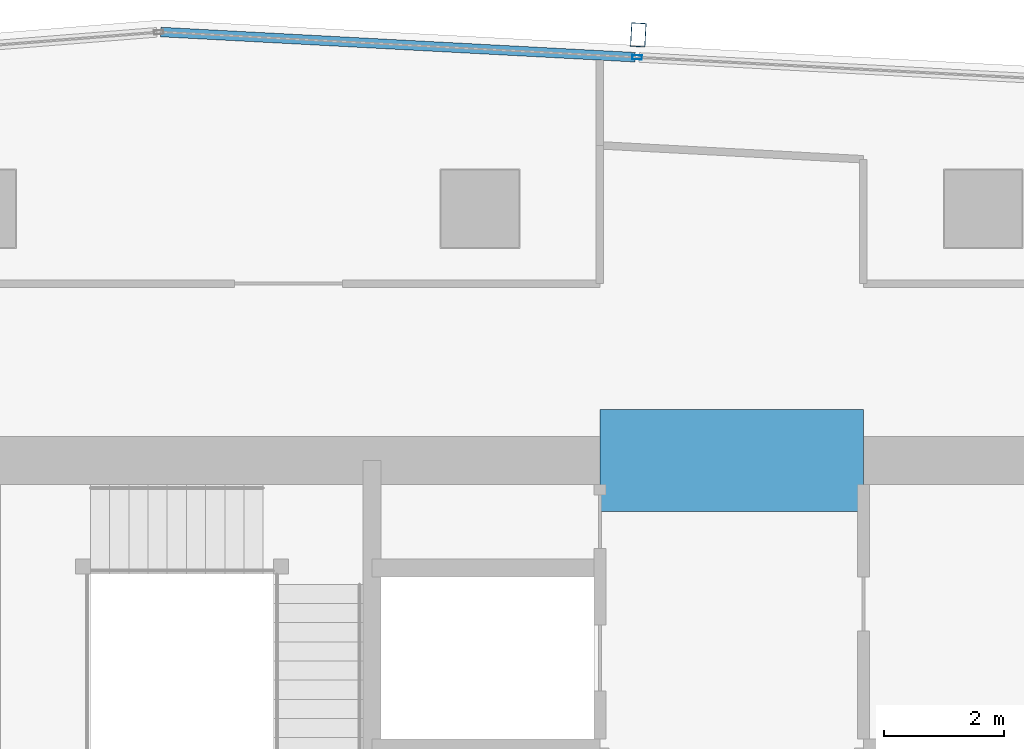
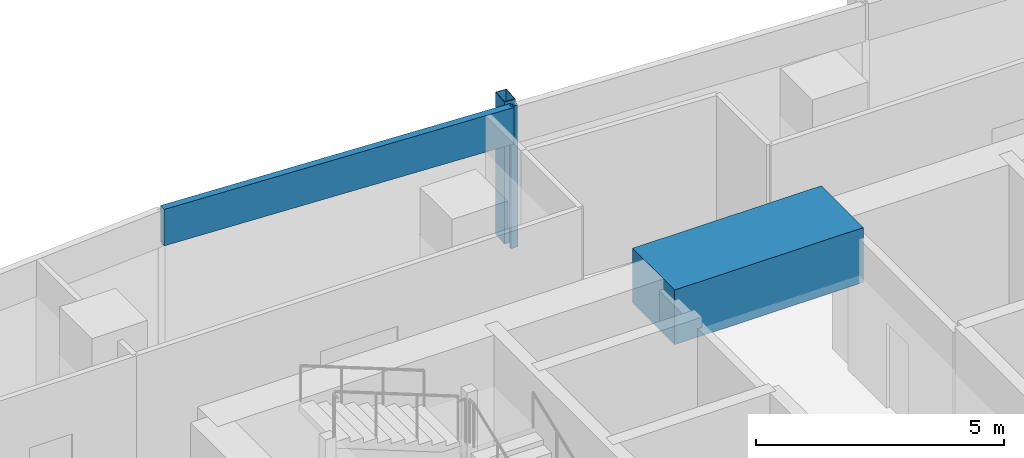
# One storey, part 17 of 29: 3 members, 1 beam, 1 element without a shape of its own.
"""IFC4 building model written with IfcOpenShell, lengths in metres."""

from ifc_helpers import new_model, si_unit, direction, frame, origin, origin_2d, place, context, subcontext, project, spatial, rectangle, hollow_rectangle, extrude, material, material_profile, profile_set, type_object, element, aggregate, save


model = new_model("IFC4")

# Units and contexts
model_context = context("Model", 3, precision=1e-05, world=origin(), true_north=direction((0.0, 1.0)))
body_context = subcontext(model_context, "Body", "Model", "MODEL_VIEW")
ifc_project = project(units=[si_unit("LENGTHUNIT", "METRE"), si_unit("AREAUNIT", "SQUARE_METRE"), si_unit("VOLUMEUNIT", "CUBIC_METRE"), si_unit("PLANEANGLEUNIT", "RADIAN"), si_unit("MASSUNIT", "GRAM", prefix="KILO")], contexts=[model_context])

# Site, building, storey
site_placement = place(None, origin())
site = spatial("IfcSite", under=ifc_project, at=site_placement, CompositionType="ELEMENT")
building_placement = place(site_placement, origin())
building = spatial("IfcBuilding", under=site, at=building_placement, Name="Rekha Terrace Tower", CompositionType="ELEMENT")
storey_placement = place(building_placement, frame((0.0, 0.0, 276.35009765625)))
storey = spatial("IfcBuildingStorey", under=building, at=storey_placement, Name="L70", CompositionType="ELEMENT", Elevation=276.35009765625)

# Curtain wall, members
ifc_material_1 = material(Name="Aluminium framing", Category="aluminium")
curtain_wall_type = type_object("IfcCurtainWallType", Name="CW3 north unitised glazing", PredefinedType="USERDEFINED", material=ifc_material_1)
curtain_wall_placement = place(storey_placement, origin())
curtain_wall = element("IfcCurtainWall", 1, at=curtain_wall_placement, inside=storey, type_object=curtain_wall_type, Name="CW3 unitised curtain wall", ObjectType="UNITISED CURTAIN WALL", PredefinedType="USERDEFINED")
ifc_material_2 = material(Name="Steel S355 with fluorocarbon finish", Category="steel")
ifc_material_profile_1 = material_profile(ifc_material_2, hollow_rectangle(XDim=0.25, YDim=0.39990234375, WallThickness=0.012451171875, at=origin_2d()), Name="RHS400x250x12.5")
ifc_profile_set_1 = profile_set([ifc_material_profile_1], Name="Steel S355 with fluorocarbon finish")
member_type_1 = type_object("IfcMemberType", Name="BL1 facade blade RHS 400 x 250", PredefinedType="USERDEFINED", material=ifc_profile_set_1)
member_1_placement = place(storey_placement, frame((36.24267578125, 53.301513671875, 0.0), z_axis=(0.0, 0.0, 1.0), x_axis=(-0.998590068481, 0.053083661621, 0.0)))
member_1 = element("IfcMember", 2, at=member_1_placement, type_object=member_type_1, Name="Facade blade", ObjectType="FACADE BLADE", PredefinedType="USERDEFINED", context=body_context, shape_type="SweptSolid", body=[
    extrude(hollow_rectangle(XDim=0.25, YDim=0.39990234375, WallThickness=0.012451171875, at=origin_2d()), origin(), (0.0, 0.0, 1.0), 3.5),
])
ifc_material_3 = material(Name="Aluminium mullion section", Category="aluminium")
ifc_material_profile_2 = material_profile(ifc_material_3, hollow_rectangle(XDim=0.070068359375, YDim=0.159912109375, WallThickness=0.00390625, at=origin_2d()), Name="AL RHS 70x160")
ifc_profile_set_2 = profile_set([ifc_material_profile_2], Name="Aluminium mullion section")
member_type_2 = type_object("IfcMemberType", Name="CW3 mullion RHS 70 x 160", PredefinedType="MULLION", material=ifc_profile_set_2)
member_2_placement = place(storey_placement, frame((36.22265625, 52.927001953125, 0.0), z_axis=(0.0, 0.0, 1.0), x_axis=(-0.053083275524, -0.998590089005, 0.0)))
member_2 = element("IfcMember", 3, at=member_2_placement, type_object=member_type_2, Name="CW3 mullion 4", PredefinedType="MULLION", context=body_context, shape_type="SweptSolid", body=[
    extrude(hollow_rectangle(XDim=0.070068359375, YDim=0.159912109375, WallThickness=0.00390625, at=origin_2d()), origin(), (0.0, 0.0, 1.0), 3.5),
])
ifc_material_4 = material(Name="Insulated aluminium spandrel box", Category="aluminium")
ifc_material_profile_3 = material_profile(ifc_material_4, hollow_rectangle(XDim=0.159912109375, YDim=0.89990234375, WallThickness=0.0029296875, at=origin_2d()), Name="AL SPANDREL BOX 160x900")
ifc_profile_set_3 = profile_set([ifc_material_profile_3], Name="Insulated aluminium spandrel box")
member_type_3 = type_object("IfcMemberType", Name="CW3 spandrel transom 160 x 900", PredefinedType="USERDEFINED", material=ifc_profile_set_3)
member_3_placement = place(storey_placement, frame((36.187744140625, 52.9287109375, 3.0498046875), z_axis=(-0.998589092231, 0.053102023288, 0.0), x_axis=(-0.053102023288, -0.998589092231, 0.0)))
member_3 = element("IfcMember", 4, at=member_3_placement, type_object=member_type_3, Name="CW3 spandrel transom 4", ObjectType="TRANSOM", PredefinedType="USERDEFINED", context=body_context, shape_type="SweptSolid", body=[
    extrude(hollow_rectangle(XDim=0.159912109375, YDim=0.89990234375, WallThickness=0.0029296875, at=origin_2d()), origin(), (0.0, 0.0, 1.0), 7.92626953125),
])
aggregate(curtain_wall, [member_2, member_3, member_1])

# Beam
ifc_material_5 = material(Name="Concrete M60", Category="concrete")
ifc_material_profile_4 = material_profile(ifc_material_5, rectangle(XDim=1.699951171875, YDim=1.35009765625, at=origin_2d()), Name="RC 1700x1350")
ifc_profile_set_4 = profile_set([ifc_material_profile_4], Name="Concrete M60")
beam_type = type_object("IfcBeamType", Name="LB5A 1700x1350 diagonally reinforced coupling beam", PredefinedType="LINTEL", material=ifc_profile_set_4)
beam_placement = place(storey_placement, frame((35.60009765625, 46.199951171875, 3.074951171875), z_axis=(1.0, 0.0, 0.0), x_axis=(0.0, 1.0, 0.0)))
element("IfcBeam", 5, at=beam_placement, inside=storey, type_object=beam_type, Name="Coupling beam LB5A N L70", PredefinedType="LINTEL", context=body_context, shape_type="SweptSolid", body=[
    extrude(rectangle(XDim=1.699951171875, YDim=1.35009765625, at=origin_2d()), origin(), (0.0, 0.0, 1.0), 4.39990234375),
])

save(model, "model.ifc")
